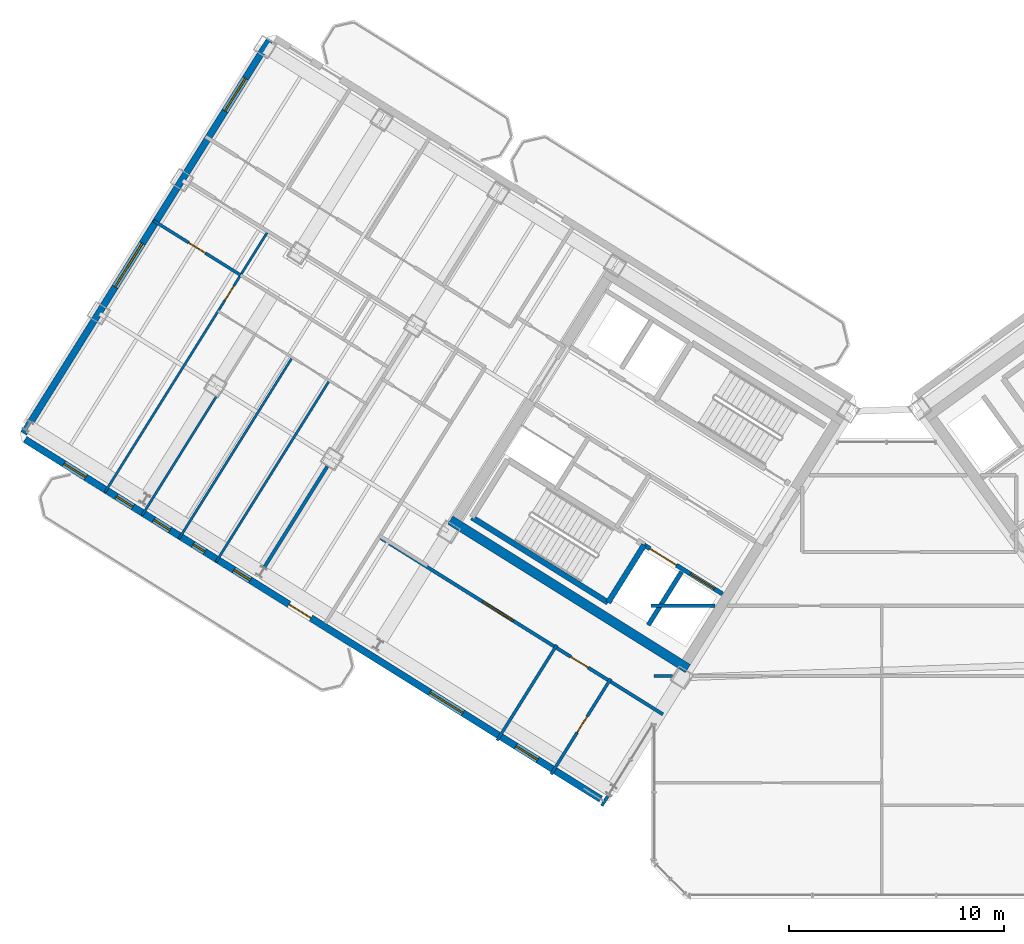
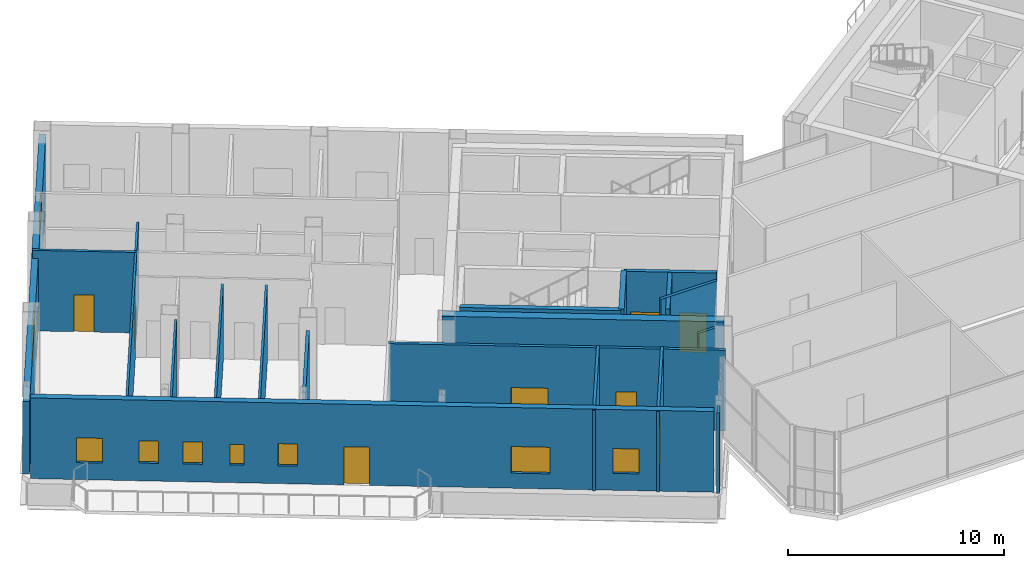
# One storey, part 16 of 26: 19 walls, 9 windows, 8 doors, 17 openings.
"""IFC4 building model written with IfcOpenShell, lengths in metres."""

import ifcopenshell
import ifcopenshell.guid

model = None  # the IFC model being written
_history = None  # IfcOwnerHistory: only IFC2X3 demands one
_inside = {}  # id of a spatial element -> (the spatial element, [elements in it])
_under = {}  # id of a project, library or spatial element -> (it, [spatial elements below it])
_declared = {}  # id of a project -> (the project, [libraries it declares])
_typed = {}  # id of a type object -> (the type object, [elements of that type])
_made_of = {}  # id of a material, layer set ... -> (it, [elements and type objects made of it])


def new_model(schema):
    """Start an empty IFC model of exactly this schema.

    Asked for "IFC4X3", IfcOpenShell would pick the latest addendum, in which some entities
    have other attributes; the version numbers below select the first issue.
    IFC2X3 requires an IfcOwnerHistory on every rooted entity: one is made here for all.
    """
    global model, _history
    if schema == "IFC4X3":
        model = ifcopenshell.file(schema_version=(4, 3, 0, 0))
    else:
        model = ifcopenshell.file(schema=schema)
    _inside.clear()
    _under.clear()
    _declared.clear()
    _typed.clear()
    _made_of.clear()
    _history = None
    if model.schema == "IFC2X3":
        org = make("IfcOrganization", Name="unknown")
        user = make(
            "IfcPersonAndOrganization",
            ThePerson=make("IfcPerson", FamilyName="unknown"),
            TheOrganization=org,
        )
        app = make(
            "IfcApplication",
            ApplicationDeveloper=org,
            Version="unknown",
            ApplicationFullName="unknown",
            ApplicationIdentifier="unknown",
        )
        _history = make(
            "IfcOwnerHistory",
            OwningUser=user,
            OwningApplication=app,
            ChangeAction="ADDED",
            CreationDate=0,
        )
    return model


def make(cls, **values):
    """One entity of the class cls with the attributes given. An attribute that is None is left unset."""
    return model.create_entity(
        cls, **{name: value for name, value in values.items() if value is not None}
    )


def rooted(cls, **values):
    """An entity with a GlobalId (a new one), such as an element, a storey or a relation."""
    return make(cls, GlobalId=ifcopenshell.guid.new(), OwnerHistory=_history, **values)


def si_unit(unit_type, name, prefix=None):
    """IfcSIUnit, for example si_unit("LENGTHUNIT", "METRE", prefix="MILLI")."""
    return make("IfcSIUnit", UnitType=unit_type, Prefix=prefix, Name=name)


def assignment(units):
    """IfcUnitAssignment: the units of a project."""
    return None if units is None else make("IfcUnitAssignment", Units=units)


def point(xyz):
    """IfcCartesianPoint."""
    return None if xyz is None else make("IfcCartesianPoint", Coordinates=xyz)


def direction(xyz):
    """IfcDirection."""
    return None if xyz is None else make("IfcDirection", DirectionRatios=xyz)


def frame(location, z_axis=None, x_axis=None):
    """IfcAxis2Placement3D, a coordinate frame: its origin and axes. An axis left out is left unset."""
    return make(
        "IfcAxis2Placement3D",
        Location=point(location),
        Axis=direction(z_axis),
        RefDirection=direction(x_axis),
    )


def frame_2d(location, x_axis=None):
    """IfcAxis2Placement2D, a coordinate frame in the plane: its origin and x axis."""
    return make(
        "IfcAxis2Placement2D", Location=point(location), RefDirection=direction(x_axis)
    )


def origin():
    """The frame at (0, 0, 0) with its axes left unset."""
    return frame((0.0, 0.0, 0.0))


def place(relative_to, where):
    """IfcLocalPlacement: puts the frame where relative to a parent placement (None: the world)."""
    return make(
        "IfcLocalPlacement", PlacementRelTo=relative_to, RelativePlacement=where
    )


def context(
    kind, dimensions, precision=None, world=None, true_north=None, identifier=None
):
    """IfcGeometricRepresentationContext, for example the 3D "Model" context."""
    return make(
        "IfcGeometricRepresentationContext",
        ContextIdentifier=identifier,
        ContextType=kind,
        CoordinateSpaceDimension=dimensions,
        Precision=precision,
        WorldCoordinateSystem=world,
        TrueNorth=true_north,
    )


def subcontext(parent, identifier, kind, view, scale=None):
    """IfcGeometricRepresentationSubContext, for example "Body" below "Model"."""
    return make(
        "IfcGeometricRepresentationSubContext",
        ContextIdentifier=identifier,
        ContextType=kind,
        ParentContext=parent,
        TargetScale=scale,
        TargetView=view,
    )


def project(units=None, contexts=None):
    """IfcProject with its units and contexts."""
    return rooted(
        "IfcProject",
        Name="project",
        RepresentationContexts=contexts,
        UnitsInContext=assignment(units),
    )


def spatial(cls, under=None, at=None, **own):
    """A site, building, storey or space (cls), placed at a placement, below another one or the project."""
    s = rooted(cls, ObjectPlacement=at, **own)
    if under is not None:
        _under.setdefault(under.id(), (under, []))[1].append(s)
    return s


def profile(cls, at=None, kind="AREA", **sizes):
    """A parametric profile (cls). Its sizes go by their IFC names, for example OverallWidth=200.0."""
    return make(cls, ProfileType=kind, Position=at, **sizes)


def rectangle(**sizes):
    """IfcRectangleProfileDef."""
    return profile("IfcRectangleProfileDef", **sizes)


def extrude(swept, where, along, depth):
    """IfcExtrudedAreaSolid: the profile swept, set in the frame where, extruded along a direction by depth."""
    return make(
        "IfcExtrudedAreaSolid",
        SweptArea=swept,
        Position=where,
        ExtrudedDirection=direction(along),
        Depth=depth,
    )


def shape(context_of_items, identifier, shape_type, items):
    """IfcShapeRepresentation: the items that make up one representation, for example the "Body"."""
    return make(
        "IfcShapeRepresentation",
        ContextOfItems=context_of_items,
        RepresentationIdentifier=identifier,
        RepresentationType=shape_type,
        Items=items,
    )


def source(mapping_origin, context_of_items, identifier, shape_type, items):
    """IfcRepresentationMap: a shape defined once, which mapped items show again and again."""
    return make(
        "IfcRepresentationMap",
        MappingOrigin=mapping_origin,
        MappedRepresentation=shape(context_of_items, identifier, shape_type, items),
    )


def transform(
    local_origin,
    x_axis=None,
    y_axis=None,
    z_axis=None,
    scale=None,
    scale2=None,
    scale3=None,
    uniform=True,
):
    """IfcCartesianTransformationOperator3D, or its non-uniform kind. x_axis, y_axis, z_axis: its Axis1, 2, 3."""
    if uniform:
        return make(
            "IfcCartesianTransformationOperator3D",
            Axis1=direction(x_axis),
            Axis2=direction(y_axis),
            LocalOrigin=point(local_origin),
            Scale=scale,
            Axis3=direction(z_axis),
        )
    return make(
        "IfcCartesianTransformationOperator3DnonUniform",
        Axis1=direction(x_axis),
        Axis2=direction(y_axis),
        LocalOrigin=point(local_origin),
        Scale=scale,
        Axis3=direction(z_axis),
        Scale2=scale2,
        Scale3=scale3,
    )


def mapped(mapping_source, mapping_target):
    """IfcMappedItem: shows the shape of a source again, moved by a transform."""
    return make(
        "IfcMappedItem", MappingSource=mapping_source, MappingTarget=mapping_target
    )


def material(Name=None, Category=None):
    """IfcMaterial."""
    return make("IfcMaterial", Name=Name, Category=Category)


def layer(
    of_material, thickness, ventilated=None, Name=None, Category=None, Priority=None
):
    """IfcMaterialLayer: one layer of a wall or slab, of a material (None: an air gap)."""
    return make(
        "IfcMaterialLayer",
        Material=of_material,
        LayerThickness=thickness,
        IsVentilated=ventilated,
        Name=Name,
        Category=Category,
        Priority=Priority,
    )


def layer_set(layers, Name=None):
    """IfcMaterialLayerSet."""
    return make("IfcMaterialLayerSet", MaterialLayers=layers, LayerSetName=Name)


def made_of(thing, what):
    """Note that an element or type object is made of a material, layer set ...; save() writes the relation."""
    if what is not None:
        _made_of.setdefault(what.id(), (what, []))[1].append(thing)
    return thing


def type_object(cls, material=None, **own):
    """A type object (cls), such as IfcWallType, which elements share."""
    return made_of(rooted(cls, **own), material)


def element(
    cls,
    number,
    at=None,
    inside=None,
    cuts=None,
    type_object=None,
    material=None,
    context=None,
    identifier="Body",
    shape_type=None,
    held_by="IfcProductDefinitionShape",
    body=None,
    shapes=None,
    **own,
):
    """One element of the class cls, such as IfcWall. Its Tag is "e" and its number.

    at: its placement. inside: the storey or other place that contains it. cuts: it is an
    opening in that element (IfcRelVoidsElement). A single representation is given by context,
    identifier, shape_type and body (its items); several are given by shapes. held_by: the class
    of the entity that holds the representations. save() writes the other relations.
    """
    e = rooted(cls, Tag="e%d" % number, ObjectPlacement=at, **own)
    if body is not None:
        shapes = [shape(context, identifier, shape_type, body)]
    if shapes is not None:
        e.Representation = make(held_by, Representations=shapes)
    if inside is not None:
        _inside.setdefault(inside.id(), (inside, []))[1].append(e)
    if cuts is not None:
        rooted(
            "IfcRelVoidsElement", RelatingBuildingElement=cuts, RelatedOpeningElement=e
        )
    if type_object is not None:
        _typed.setdefault(type_object.id(), (type_object, []))[1].append(e)
    return made_of(e, material)


def fill(opening, filler):
    """IfcRelFillsElement: the door or window that sits in an opening."""
    return rooted(
        "IfcRelFillsElement",
        RelatingOpeningElement=opening,
        RelatedBuildingElement=filler,
    )


def aggregate(whole, parts):
    """IfcRelAggregates: a whole, such as a stair, and the parts it consists of."""
    return rooted("IfcRelAggregates", RelatingObject=whole, RelatedObjects=parts)


def save(model, path):
    """Write the relations noted so far, then the file.

    IfcRelAggregates (storeys below a building ...), IfcRelContainedInSpatialStructure (elements
    in a storey), IfcRelDefinesByType, IfcRelAssociatesMaterial and IfcRelDeclares: one each for
    every whole, place, type object, material and project.
    """
    for whole, parts in _under.values():
        aggregate(whole, parts)
    for where, things in _inside.values():
        rooted(
            "IfcRelContainedInSpatialStructure",
            RelatedElements=things,
            RelatingStructure=where,
        )
    for kind, things in _typed.values():
        rooted("IfcRelDefinesByType", RelatedObjects=things, RelatingType=kind)
    for what, things in _made_of.values():
        rooted("IfcRelAssociatesMaterial", RelatedObjects=things, RelatingMaterial=what)
    for by, libraries in _declared.values():
        rooted("IfcRelDeclares", RelatingContext=by, RelatedDefinitions=libraries)
    model.write(path)


model = new_model("IFC4")

# Units and contexts
model_context = context("Model", 3, precision=1e-05, world=origin(), true_north=direction((0.0, 1.0)))
body_context = subcontext(model_context, "Body", "Model", "MODEL_VIEW")
ifc_project = project(units=[si_unit("LENGTHUNIT", "METRE"), si_unit("AREAUNIT", "SQUARE_METRE"), si_unit("VOLUMEUNIT", "CUBIC_METRE"), si_unit("PLANEANGLEUNIT", "RADIAN"), si_unit("MASSUNIT", "GRAM", prefix="KILO")], contexts=[model_context])

# Site, building, storey
site_placement = place(None, origin())
site = spatial("IfcSite", under=ifc_project, at=site_placement, CompositionType="ELEMENT")
building_placement = place(site_placement, origin())
building = spatial("IfcBuilding", under=site, at=building_placement, Name="Tlacorven Tower", CompositionType="ELEMENT")
storey_placement = place(building_placement, frame((0.0, 0.0, 233.699951171875)))
storey = spatial("IfcBuildingStorey", under=building, at=storey_placement, Name="L59", CompositionType="ELEMENT", Elevation=233.699951171875)

# Walls
ifc_material_1 = material(Name="Concrete C50/60", Category="concrete")
ifc_layer_1 = layer(ifc_material_1, 0.449951171875)
ifc_layer_set_1 = layer_set([ifc_layer_1], Name="Concrete C50/60")
wall_type_1 = type_object("IfcWallType", Name="WL-COR-450", PredefinedType="SHEAR", material=ifc_layer_set_1)
wall_1_placement = place(storey_placement, frame((33.32373046875, 12.5029296875, 0.0), z_axis=(0.0, 0.0, 1.0), x_axis=(-0.848043529849, 0.529926571782, 0.0)))
element("IfcWall", 1, at=wall_1_placement, inside=storey, type_object=wall_type_1, Name="L59 W core shear wall S2", PredefinedType="SHEAR", context=body_context, shape_type="SweptSolid", body=[
    extrude(rectangle(XDim=13.039794921875, YDim=0.449951171875, at=frame_2d((6.52001953125, 0.0))), origin(), (0.0, 0.0, 1.0), 4.550048828125),
])
ifc_material_2 = material(Name="Gypsum plasterboard acoustic partition", Category="gypsum")
ifc_layer_2 = layer(ifc_material_2, 0.159912109375)
ifc_layer_set_2 = layer_set([ifc_layer_2], Name="Gypsum plasterboard acoustic partition")
wall_type_2 = type_object("IfcWallType", Name="WL-DEM-160", PredefinedType="PARTITIONING", material=ifc_layer_set_2)
wall_2_placement = place(storey_placement, frame((16.54541015625, 21.911865234375, 0.0), z_axis=(0.0, 0.0, 1.0), x_axis=(-0.529927777772, -0.848042776247, 0.0)))
element("IfcWall", 2, at=wall_2_placement, inside=storey, type_object=wall_type_2, Name="L59 WN Demising Wall 1", PredefinedType="PARTITIONING", context=body_context, shape_type="SweptSolid", body=[
    extrude(rectangle(XDim=5.551025390625, YDim=0.159912109375, at=frame_2d((2.775390625, 0.0))), origin(), (0.0, 0.0, 1.0), 4.074951171875),
])

# Wall, openings, doors
wall_3_placement = place(storey_placement, frame((32.164306640625, 10.373779296875, 0.0), z_axis=(0.0, 0.0, 1.0), x_axis=(-0.848044107957, 0.529925646633, 0.0)))
wall_3 = element("IfcWall", 3, at=wall_3_placement, inside=storey, type_object=wall_type_2, Name="L59 partition 61", PredefinedType="PARTITIONING", context=body_context, shape_type="SweptSolid", body=[
    extrude(rectangle(XDim=15.570068359375, YDim=0.159912109375, at=frame_2d((7.78515625, 0.0))), origin(), (0.0, 0.0, 1.0), 4.5400390625),
])
opening_1_placement = place(wall_3_placement, frame((4.10009765625, 0.0, 0.0)))
opening_1 = element("IfcOpeningElement", 4, at=opening_1_placement, cuts=wall_3, Name="Opening D14", PredefinedType="OPENING", context=body_context, shape_type="SweptSolid", body=[
    extrude(rectangle(XDim=0.9599609375, YDim=2.080078125, at=frame_2d((0.47998046875, 1.0400390625))), frame((0.0, 0.08984375, 0.0), z_axis=(0.0, -1.0, 0.0), x_axis=(1.0, 0.0, 0.0)), (0.0, 0.0, 1.0), 0.179931640625),
])
opening_2_placement = place(wall_3_placement, frame((8.199951171875, 0.0, 0.0)))
opening_2 = element("IfcOpeningElement", 5, at=opening_2_placement, cuts=wall_3, Name="Opening D17", PredefinedType="OPENING", context=body_context, shape_type="SweptSolid", body=[
    extrude(rectangle(XDim=1.699951171875, YDim=2.199951171875, at=frame_2d((0.85009765625, 1.10009765625))), frame((0.0, 0.08984375, 0.0), z_axis=(0.0, -1.0, 0.0), x_axis=(1.0, 0.0, 0.0)), (0.0, 0.0, 1.0), 0.179931640625),
])
ifc_material_3 = material(Name="Fire-rated steel door assembly", Category="steel")
door_type_1 = type_object("IfcDoorType", Name="DR-COM-HALL-1700", OperationType="DOUBLE_DOOR_SINGLE_SWING", PredefinedType="DOOR", material=ifc_material_3)
shared_shape_1 = source(origin(), body_context, "Body", "SweptSolid", [
    extrude(rectangle(XDim=1.699951171875, YDim=2.199951171875, at=frame_2d((0.85009765625, 1.10009765625))), frame((0.0, 0.02490234375, 0.0), z_axis=(0.0, -1.0, 0.0), x_axis=(1.0, 0.0, 0.0)), (0.0, 0.0, 1.0), 0.050048828125),
])
door_1_placement = place(opening_2_placement, origin())
door_1 = element("IfcDoor", 6, at=door_1_placement, inside=storey, type_object=door_type_1, Name="L59 door 043", OperationType="DOUBLE_DOOR_SINGLE_SWING", OverallHeight=2.199951171875, OverallWidth=1.699951171875, PredefinedType="DOOR", context=body_context, shape_type="MappedRepresentation", body=[
    mapped(shared_shape_1, transform((0.0, 0.0, 0.0), scale=1.0)),
])
fill(opening_2, door_1)
ifc_material_4 = material(Name="Powder-coated aluminium and timber door", Category="wood")
door_type_2 = type_object("IfcDoorType", Name="DR-INT-AWC-0960", OperationType="NOTDEFINED", PredefinedType="DOOR", material=ifc_material_4)
shared_shape_2 = source(origin(), body_context, "Body", "SweptSolid", [
    extrude(rectangle(XDim=0.9599609375, YDim=2.080078125, at=frame_2d((0.47998046875, 1.0400390625))), frame((0.0, 0.02490234375, 0.0), z_axis=(0.0, -1.0, 0.0), x_axis=(1.0, 0.0, 0.0)), (0.0, 0.0, 1.0), 0.050048828125),
])
door_2_placement = place(opening_1_placement, origin())
door_2 = element("IfcDoor", 7, at=door_2_placement, inside=storey, type_object=door_type_2, Name="L59 door 042", OperationType="SINGLE_SWING_RIGHT", OverallHeight=2.080078125, OverallWidth=0.9599609375, PredefinedType="DOOR", context=body_context, shape_type="MappedRepresentation", body=[
    mapped(shared_shape_2, transform((0.0, 0.0, 0.0), scale=1.0)),
])
fill(opening_1, door_2)

# Wall
wall_4_placement = place(storey_placement, frame((31.60009765625, 15.419921875, 0.0), z_axis=(0.0, 0.0, 1.0), x_axis=(1.0, 0.0, 0.0)))
element("IfcWall", 8, at=wall_4_placement, inside=storey, type_object=wall_type_2, Name="L59 Knuckle Corridor South Wall", PredefinedType="PARTITIONING", context=body_context, shape_type="SweptSolid", body=[
    extrude(rectangle(XDim=2.984130859375, YDim=0.159912109375, at=frame_2d((1.4921875, 0.0))), origin(), (0.0, 0.0, 1.0), 4.5400390625),
])

# Wall, openings, door, windows
ifc_material_5 = material(Name="Precast concrete C45/55", Category="concrete")
ifc_layer_3 = layer(ifc_material_5, 0.320068359375)
ifc_layer_set_3 = layer_set([ifc_layer_3], Name="Precast concrete C45/55")
wall_type_3 = type_object("IfcWallType", Name="WL-EXT-320", PredefinedType="STANDARD", material=ifc_layer_set_3)
wall_5_placement = place(storey_placement, frame((29.267822265625, 6.429443359375, 0.0), z_axis=(0.0, 0.0, 1.0), x_axis=(-0.848049971435, 0.529916263149, 0.0)))
wall_5 = element("IfcWall", 9, at=wall_5_placement, inside=storey, type_object=wall_type_3, Name="L59 Masonry-Frame Recessed Facade Wall 1", PredefinedType="STANDARD", context=body_context, shape_type="SweptSolid", body=[
    extrude(rectangle(XDim=31.587646484375, YDim=0.320068359375, at=frame_2d((15.7939453125, 0.0))), origin(), (0.0, 0.0, 1.0), 4.550048828125),
])
opening_3_placement = place(wall_5_placement, frame((15.901123046875, 0.0, 0.0)))
opening_3 = element("IfcOpeningElement", 10, at=opening_3_placement, cuts=wall_5, Name="Opening D05", PredefinedType="OPENING", context=body_context, shape_type="SweptSolid", body=[
    extrude(rectangle(XDim=1.199951171875, YDim=2.14990234375, at=frame_2d((0.60009765625, 1.074951171875))), frame((0.0, 0.169921875, 0.0), z_axis=(0.0, -1.0, 0.0), x_axis=(1.0, 0.0, 0.0)), (0.0, 0.0, 1.0), 0.340087890625),
])
opening_4_placement = place(wall_5_placement, frame((3.45361328125, 0.0, 0.949951171875)))
opening_4 = element("IfcOpeningElement", 11, at=opening_4_placement, cuts=wall_5, Name="Opening WN03", PredefinedType="OPENING", context=body_context, shape_type="SweptSolid", body=[
    extrude(rectangle(XDim=1.199951171875, YDim=1.39990234375, at=frame_2d((0.60009765625, 0.699951171875))), frame((0.0, 0.169921875, 0.0), z_axis=(0.0, -1.0, 0.0), x_axis=(1.0, 0.0, 0.0)), (0.0, 0.0, 1.0), 0.340087890625),
])
opening_5_placement = place(wall_5_placement, frame((7.561279296875, 0.0, 0.85009765625)))
opening_5 = element("IfcOpeningElement", 12, at=opening_5_placement, cuts=wall_5, Name="Opening WN01", PredefinedType="OPENING", context=body_context, shape_type="SweptSolid", body=[
    extrude(rectangle(XDim=1.800048828125, YDim=1.5, at=frame_2d((0.89990234375, 0.75))), frame((0.0, 0.169921875, 0.0), z_axis=(0.0, -1.0, 0.0), x_axis=(1.0, 0.0, 0.0)), (0.0, 0.0, 1.0), 0.340087890625),
])
opening_6_placement = place(wall_5_placement, frame((28.253662109375, 0.0, 0.949951171875)))
opening_6 = element("IfcOpeningElement", 13, at=opening_6_placement, cuts=wall_5, Name="Opening WN03", PredefinedType="OPENING", context=body_context, shape_type="SweptSolid", body=[
    extrude(rectangle(XDim=1.199951171875, YDim=1.39990234375, at=frame_2d((0.60009765625, 0.699951171875))), frame((0.0, 0.169921875, 0.0), z_axis=(0.0, -1.0, 0.0), x_axis=(1.0, 0.0, 0.0)), (0.0, 0.0, 1.0), 0.340087890625),
])
opening_7_placement = place(wall_5_placement, frame((19.233642578125, 0.0, 1.0)))
opening_7 = element("IfcOpeningElement", 14, at=opening_7_placement, cuts=wall_5, Name="Opening WN05", PredefinedType="OPENING", context=body_context, shape_type="SweptSolid", body=[
    extrude(rectangle(XDim=0.89990234375, YDim=1.25, at=frame_2d((0.449951171875, 0.625))), frame((0.0, 0.169921875, 0.0), z_axis=(0.0, -1.0, 0.0), x_axis=(1.0, 0.0, 0.0)), (0.0, 0.0, 1.0), 0.340087890625),
])
opening_8_placement = place(wall_5_placement, frame((21.72119140625, 0.0, 1.0)))
opening_8 = element("IfcOpeningElement", 15, at=opening_8_placement, cuts=wall_5, Name="Opening WN21", PredefinedType="OPENING", context=body_context, shape_type="SweptSolid", body=[
    extrude(rectangle(XDim=0.64990234375, YDim=1.14990234375, at=frame_2d((0.324951171875, 0.574951171875))), frame((0.0, 0.169921875, 0.0), z_axis=(0.0, -1.0, 0.0), x_axis=(1.0, 0.0, 0.0)), (0.0, 0.0, 1.0), 0.340087890625),
])
opening_9_placement = place(wall_5_placement, frame((23.631103515625, 0.0, 1.0)))
opening_9 = element("IfcOpeningElement", 16, at=opening_9_placement, cuts=wall_5, Name="Opening WN05", PredefinedType="OPENING", context=body_context, shape_type="SweptSolid", body=[
    extrude(rectangle(XDim=0.89990234375, YDim=1.25, at=frame_2d((0.449951171875, 0.625))), frame((0.0, 0.169921875, 0.0), z_axis=(0.0, -1.0, 0.0), x_axis=(1.0, 0.0, 0.0)), (0.0, 0.0, 1.0), 0.340087890625),
])
opening_10_placement = place(wall_5_placement, frame((25.666259765625, 0.0, 1.0)))
opening_10 = element("IfcOpeningElement", 17, at=opening_10_placement, cuts=wall_5, Name="Opening WN05", PredefinedType="OPENING", context=body_context, shape_type="SweptSolid", body=[
    extrude(rectangle(XDim=0.89990234375, YDim=1.25, at=frame_2d((0.449951171875, 0.625))), frame((0.0, 0.169921875, 0.0), z_axis=(0.0, -1.0, 0.0), x_axis=(1.0, 0.0, 0.0)), (0.0, 0.0, 1.0), 0.340087890625),
])
door_type_3 = type_object("IfcDoorType", Name="DR-EXT-BALC-1200", OperationType="NOTDEFINED", PredefinedType="DOOR", material=ifc_material_4)
shared_shape_3 = source(origin(), body_context, "Body", "SweptSolid", [
    extrude(rectangle(XDim=1.199951171875, YDim=2.14990234375, at=frame_2d((0.60009765625, 1.074951171875))), frame((0.0, 0.02490234375, 0.0), z_axis=(0.0, -1.0, 0.0), x_axis=(1.0, 0.0, 0.0)), (0.0, 0.0, 1.0), 0.050048828125),
])
door_3_placement = place(opening_3_placement, origin())
door_3 = element("IfcDoor", 18, at=door_3_placement, inside=storey, type_object=door_type_3, Name="L59 Outdoor Access Door BAL-L59-W-OUT", OperationType="SINGLE_SWING_LEFT", OverallHeight=2.14990234375, OverallWidth=1.199951171875, PredefinedType="DOOR", context=body_context, shape_type="MappedRepresentation", body=[
    mapped(shared_shape_3, transform((0.0, 0.0, 0.0), scale=1.0)),
])
fill(opening_3, door_3)
ifc_material_6 = material(Name="Dark solar low-E double glazing in anodised aluminium frame", Category="aluminium")
window_type_1 = type_object("IfcWindowType", Name="WN-APT-1200X1500", PartitioningType="SINGLE_PANEL", PredefinedType="WINDOW", material=ifc_material_6)
shared_shape_4 = source(origin(), body_context, "Body", "SweptSolid", [
    extrude(rectangle(XDim=1.199951171875, YDim=1.39990234375, at=frame_2d((0.60009765625, 0.699951171875))), frame((0.0, 0.030029296875, 0.0), z_axis=(0.0, -1.0, 0.0), x_axis=(1.0, 0.0, 0.0)), (0.0, 0.0, 1.0), 0.06005859375),
])
window_1_placement = place(opening_4_placement, origin())
window_1 = element("IfcWindow", 19, at=window_1_placement, inside=storey, type_object=window_type_1, Name="L59 Recessed Masonry-Frame Window L59-01.1", OverallHeight=1.39990234375, OverallWidth=1.199951171875, PartitioningType="SINGLE_PANEL", PredefinedType="WINDOW", context=body_context, shape_type="MappedRepresentation", body=[
    mapped(shared_shape_4, transform((0.0, 0.0, 0.0), scale=1.0)),
])
fill(opening_4, window_1)
window_2_placement = place(opening_6_placement, origin())
window_2 = element("IfcWindow", 20, at=window_2_placement, inside=storey, type_object=window_type_1, Name="L59 Recessed Masonry-Frame Window L59-01.3", OverallHeight=1.39990234375, OverallWidth=1.199951171875, PartitioningType="SINGLE_PANEL", PredefinedType="WINDOW", context=body_context, shape_type="MappedRepresentation", body=[
    mapped(shared_shape_4, transform((0.0, 0.0, 0.0), scale=1.0)),
])
fill(opening_6, window_2)
window_type_2 = type_object("IfcWindowType", Name="WN-APT-1800X1650", PartitioningType="SINGLE_PANEL", PredefinedType="WINDOW", material=ifc_material_6)
shared_shape_5 = source(origin(), body_context, "Body", "SweptSolid", [
    extrude(rectangle(XDim=1.800048828125, YDim=1.5, at=frame_2d((0.89990234375, 0.75))), frame((0.0, 0.030029296875, 0.0), z_axis=(0.0, -1.0, 0.0), x_axis=(1.0, 0.0, 0.0)), (0.0, 0.0, 1.0), 0.06005859375),
])
window_3_placement = place(opening_5_placement, origin())
window_3 = element("IfcWindow", 21, at=window_3_placement, inside=storey, type_object=window_type_2, Name="L59 Recessed Masonry-Frame Window L59-01.2", OverallHeight=1.5, OverallWidth=1.800048828125, PartitioningType="SINGLE_PANEL", PredefinedType="WINDOW", context=body_context, shape_type="MappedRepresentation", body=[
    mapped(shared_shape_5, transform((0.0, 0.0, 0.0), scale=1.0)),
])
fill(opening_5, window_3)
window_type_3 = type_object("IfcWindowType", Name="WN-APT-0900X1350", PartitioningType="SINGLE_PANEL", PredefinedType="WINDOW", material=ifc_material_6)
shared_shape_6 = source(origin(), body_context, "Body", "SweptSolid", [
    extrude(rectangle(XDim=0.89990234375, YDim=1.25, at=frame_2d((0.449951171875, 0.625))), frame((0.0, 0.030029296875, 0.0), z_axis=(0.0, -1.0, 0.0), x_axis=(1.0, 0.0, 0.0)), (0.0, 0.0, 1.0), 0.06005859375),
])
window_4_placement = place(opening_7_placement, origin())
window_4 = element("IfcWindow", 22, at=window_4_placement, inside=storey, type_object=window_type_3, Name="L59 Dwelling Daylight Window L59-U02-BD1", OverallHeight=1.25, OverallWidth=0.89990234375, PartitioningType="SINGLE_PANEL", PredefinedType="WINDOW", context=body_context, shape_type="MappedRepresentation", body=[
    mapped(shared_shape_6, transform((0.0, 0.0, 0.0), scale=1.0)),
])
fill(opening_7, window_4)
window_5_placement = place(opening_9_placement, origin())
window_5 = element("IfcWindow", 23, at=window_5_placement, inside=storey, type_object=window_type_3, Name="L59 Dwelling Daylight Window L59-U02-BD3", OverallHeight=1.25, OverallWidth=0.89990234375, PartitioningType="SINGLE_PANEL", PredefinedType="WINDOW", context=body_context, shape_type="MappedRepresentation", body=[
    mapped(shared_shape_6, transform((0.0, 0.0, 0.0), scale=1.0)),
])
fill(opening_9, window_5)
window_6_placement = place(opening_10_placement, origin())
window_6 = element("IfcWindow", 24, at=window_6_placement, inside=storey, type_object=window_type_3, Name="L59 Dwelling Daylight Window L59-U02-BD4", OverallHeight=1.25, OverallWidth=0.89990234375, PartitioningType="SINGLE_PANEL", PredefinedType="WINDOW", context=body_context, shape_type="MappedRepresentation", body=[
    mapped(shared_shape_6, transform((0.0, 0.0, 0.0), scale=1.0)),
])
fill(opening_10, window_6)
window_type_4 = type_object("IfcWindowType", Name="WN-APT-0650X1150", PartitioningType="SINGLE_PANEL", PredefinedType="WINDOW", material=ifc_material_6)
shared_shape_7 = source(origin(), body_context, "Body", "SweptSolid", [
    extrude(rectangle(XDim=0.64990234375, YDim=1.14990234375, at=frame_2d((0.324951171875, 0.574951171875))), frame((0.0, 0.030029296875, 0.0), z_axis=(0.0, -1.0, 0.0), x_axis=(1.0, 0.0, 0.0)), (0.0, 0.0, 1.0), 0.06005859375),
])
window_7_placement = place(opening_8_placement, origin())
window_7 = element("IfcWindow", 25, at=window_7_placement, inside=storey, type_object=window_type_4, Name="L59 Dwelling Daylight Window L59-U02-BD2", OverallHeight=1.14990234375, OverallWidth=0.64990234375, PartitioningType="SINGLE_PANEL", PredefinedType="WINDOW", context=body_context, shape_type="MappedRepresentation", body=[
    mapped(shared_shape_7, transform((0.0, 0.0, 0.0), scale=1.0)),
])
fill(opening_8, window_7)

# Wall, openings, windows
wall_6_placement = place(storey_placement, frame((2.41455078125, 23.452392578125, 0.0), z_axis=(0.0, 0.0, 1.0), x_axis=(0.52991049553, 0.848053575387, 0.0)))
wall_6 = element("IfcWall", 26, at=wall_6_placement, inside=storey, type_object=wall_type_3, Name="L59 Masonry-Frame Recessed Facade Wall 2", PredefinedType="STANDARD", context=body_context, shape_type="SweptSolid", body=[
    extrude(rectangle(XDim=21.58740234375, YDim=0.320068359375, at=frame_2d((10.793701171875, 0.0))), origin(), (0.0, 0.0, 1.0), 4.074951171875),
])
opening_11_placement = place(wall_6_placement, frame((8.025634765625, 0.0, 0.75)))
opening_11 = element("IfcOpeningElement", 27, at=opening_11_placement, cuts=wall_6, Name="Opening WN06", PredefinedType="OPENING", context=body_context, shape_type="SweptSolid", body=[
    extrude(rectangle(XDim=2.39990234375, YDim=1.60009765625, at=frame_2d((1.199951171875, 0.800048828125))), frame((0.0, 0.169921875, 0.0), z_axis=(0.0, -1.0, 0.0), x_axis=(1.0, 0.0, 0.0)), (0.0, 0.0, 1.0), 0.340087890625),
])
opening_12_placement = place(wall_6_placement, frame((17.68359375, 0.0, 0.85009765625)))
opening_12 = element("IfcOpeningElement", 28, at=opening_12_placement, cuts=wall_6, Name="Opening WN01", PredefinedType="OPENING", context=body_context, shape_type="SweptSolid", body=[
    extrude(rectangle(XDim=1.800048828125, YDim=1.5, at=frame_2d((0.89990234375, 0.75))), frame((0.0, 0.169921875, 0.0), z_axis=(0.0, -1.0, 0.0), x_axis=(1.0, 0.0, 0.0)), (0.0, 0.0, 1.0), 0.340087890625),
])
window_8_placement = place(opening_12_placement, origin())
window_8 = element("IfcWindow", 29, at=window_8_placement, inside=storey, type_object=window_type_2, Name="L59 Recessed Masonry-Frame Window L59-02.2", OverallHeight=1.5, OverallWidth=1.800048828125, PartitioningType="SINGLE_PANEL", PredefinedType="WINDOW", context=body_context, shape_type="MappedRepresentation", body=[
    mapped(shared_shape_5, transform((0.0, 0.0, 0.0), scale=1.0)),
])
fill(opening_12, window_8)
window_type_5 = type_object("IfcWindowType", Name="WN-APT-2400X1800", PartitioningType="SINGLE_PANEL", PredefinedType="WINDOW", material=ifc_material_6)
shared_shape_8 = source(origin(), body_context, "Body", "SweptSolid", [
    extrude(rectangle(XDim=2.39990234375, YDim=1.60009765625, at=frame_2d((1.199951171875, 0.800048828125))), frame((0.0, 0.030029296875, 0.0), z_axis=(0.0, -1.0, 0.0), x_axis=(1.0, 0.0, 0.0)), (0.0, 0.0, 1.0), 0.06005859375),
])
window_9_placement = place(opening_11_placement, origin())
window_9 = element("IfcWindow", 30, at=window_9_placement, inside=storey, type_object=window_type_5, Name="L59 Recessed Masonry-Frame Window L59-02.1", OverallHeight=1.60009765625, OverallWidth=2.39990234375, PartitioningType="SINGLE_PANEL", PredefinedType="WINDOW", context=body_context, shape_type="MappedRepresentation", body=[
    mapped(shared_shape_8, transform((0.0, 0.0, 0.0), scale=1.0)),
])
fill(opening_11, window_9)

# Wall, opening, door
ifc_material_7 = material(Name="Gypsum plasterboard partition", Category="gypsum")
ifc_layer_4 = layer(ifc_material_7, 0.110107421875)
ifc_layer_set_4 = layer_set([ifc_layer_4], Name="Gypsum plasterboard partition")
wall_type_4 = type_object("IfcWallType", Name="WL-INT-110", PredefinedType="PARTITIONING", material=ifc_layer_set_4)
wall_7_placement = place(storey_placement, frame((13.781982421875, 32.850341796875, 0.0), z_axis=(0.0, 0.0, 1.0), x_axis=(-0.529928444178, -0.848042359821, 0.0)))
wall_7 = element("IfcWall", 31, at=wall_7_placement, inside=storey, type_object=wall_type_4, Name="L59 partition 49", PredefinedType="PARTITIONING", context=body_context, shape_type="SweptSolid", body=[
    extrude(rectangle(XDim=14.320068359375, YDim=0.110107421875, at=frame_2d((7.16015625, 0.0))), origin(), (0.0, 0.0, 1.0), 4.5400390625),
])
opening_13_placement = place(wall_7_placement, frame((3.0, 0.0, 0.0)))
opening_13 = element("IfcOpeningElement", 32, at=opening_13_placement, cuts=wall_7, Name="Opening D22", PredefinedType="OPENING", context=body_context, shape_type="SweptSolid", body=[
    extrude(rectangle(XDim=0.780029296875, YDim=2.050048828125, at=frame_2d((0.39013671875, 1.02490234375))), frame((0.0, 0.06494140625, 0.0), z_axis=(0.0, -1.0, 0.0), x_axis=(1.0, 0.0, 0.0)), (0.0, 0.0, 1.0), 0.130126953125),
])
door_type_4 = type_object("IfcDoorType", Name="DR-INT-WET-0780", OperationType="NOTDEFINED", PredefinedType="DOOR", material=ifc_material_4)
shared_shape_9 = source(origin(), body_context, "Body", "SweptSolid", [
    extrude(rectangle(XDim=0.780029296875, YDim=2.050048828125, at=frame_2d((0.39013671875, 1.02490234375))), frame((0.0, 0.02490234375, 0.0), z_axis=(0.0, -1.0, 0.0), x_axis=(1.0, 0.0, 0.0)), (0.0, 0.0, 1.0), 0.050048828125),
])
door_4_placement = place(opening_13_placement, origin())
door_4 = element("IfcDoor", 33, at=door_4_placement, inside=storey, type_object=door_type_4, Name="L59 door 030", OperationType="SINGLE_SWING_RIGHT", OverallHeight=2.050048828125, OverallWidth=0.780029296875, PredefinedType="DOOR", context=body_context, shape_type="MappedRepresentation", body=[
    mapped(shared_shape_9, transform((0.0, 0.0, 0.0), scale=1.0)),
])
fill(opening_13, door_4)

# Walls
for number, where, z_axis, x_axis, name in (
    (34, (16.63818359375, 25.90087890625, 0.0), (0.0, 0.0, 1.0), (-0.529910626741, -0.8480534934, 0.0), "L59 partition 55"),
    (35, (14.912353515625, 26.979248046875, 0.0), (0.0, 0.0, 1.0), (-0.529910626741, -0.8480534934, 0.0), "L59 partition 56"),
):
    element("IfcWall", number, at=place(storey_placement, frame(where, z_axis=z_axis, x_axis=x_axis)), inside=storey, type_object=wall_type_4, Name=name, PredefinedType="PARTITIONING", context=body_context, shape_type="SweptSolid", body=[
        extrude(rectangle(XDim=9.93994140625, YDim=0.110107421875, at=frame_2d((4.969970703125, 0.0))), origin(), (0.0, 0.0, 1.0), 4.22509765625),
    ])
wall_8_placement = place(storey_placement, frame((11.367919921875, 25.147216796875, 0.0), z_axis=(0.0, 0.0, 1.0), x_axis=(-0.52990789429, -0.84805520078, 0.0)))
element("IfcWall", 36, at=wall_8_placement, inside=storey, type_object=wall_type_4, Name="L59 partition 57", PredefinedType="PARTITIONING", context=body_context, shape_type="SweptSolid", body=[
    extrude(rectangle(XDim=6.508056640625, YDim=0.110107421875, at=frame_2d((3.25390625, 0.0))), origin(), (0.0, 0.0, 1.0), 4.5400390625),
])

# Wall, opening, door
ifc_material_8 = material(Name="Moisture-resistant gypsum plumbing wall", Category="gypsum")
ifc_layer_5 = layer(ifc_material_8, 0.139892578125)
ifc_layer_set_5 = layer_set([ifc_layer_5], Name="Moisture-resistant gypsum plumbing wall")
wall_type_5 = type_object("IfcWallType", Name="WL-PLM-140", PredefinedType="PLUMBINGWALL", material=ifc_layer_set_5)
wall_9_placement = place(storey_placement, frame((12.510009765625, 30.815185546875, 0.0), z_axis=(0.0, 0.0, 1.0), x_axis=(-0.848041344127, 0.529930069585, 0.0)))
wall_9 = element("IfcWall", 37, at=wall_9_placement, inside=storey, type_object=wall_type_5, Name="L59 partition 51", PredefinedType="PLUMBINGWALL", context=body_context, shape_type="SweptSolid", body=[
    extrude(rectangle(XDim=4.77978515625, YDim=0.139892578125, at=frame_2d((2.389892578125, 0.0))), origin(), (0.0, 0.0, 1.0), 4.5400390625),
])
opening_14_placement = place(wall_9_placement, frame((1.929931640625, 0.0, 0.0)))
opening_14 = element("IfcOpeningElement", 38, at=opening_14_placement, cuts=wall_9, Name="Opening D12", PredefinedType="OPENING", context=body_context, shape_type="SweptSolid", body=[
    extrude(rectangle(XDim=0.919921875, YDim=2.080078125, at=frame_2d((0.4599609375, 1.0400390625))), frame((0.0, 0.080078125, 0.0), z_axis=(0.0, -1.0, 0.0), x_axis=(1.0, 0.0, 0.0)), (0.0, 0.0, 1.0), 0.159912109375),
])
door_type_5 = type_object("IfcDoorType", Name="DR-INT-ROOM-0920", OperationType="NOTDEFINED", PredefinedType="DOOR", material=ifc_material_4)
shared_shape_10 = source(origin(), body_context, "Body", "SweptSolid", [
    extrude(rectangle(XDim=0.919921875, YDim=2.080078125, at=frame_2d((0.4599609375, 1.0400390625))), frame((0.0, 0.02490234375, 0.0), z_axis=(0.0, -1.0, 0.0), x_axis=(1.0, 0.0, 0.0)), (0.0, 0.0, 1.0), 0.050048828125),
])
door_5_placement = place(opening_14_placement, origin())
door_5 = element("IfcDoor", 39, at=door_5_placement, inside=storey, type_object=door_type_5, Name="L59 door 029", OperationType="SINGLE_SWING_LEFT", OverallHeight=2.080078125, OverallWidth=0.919921875, PredefinedType="DOOR", context=body_context, shape_type="MappedRepresentation", body=[
    mapped(shared_shape_10, transform((0.0, 0.0, 0.0), scale=1.0)),
])
fill(opening_14, door_5)

wall_10_placement = place(storey_placement, frame((29.734619140625, 12.03369140625, 0.0), z_axis=(0.0, 0.0, 1.0), x_axis=(-0.529890046623, -0.848066352646, 0.0)))
wall_10 = element("IfcWall", 40, at=wall_10_placement, inside=storey, type_object=wall_type_5, Name="L59 partition 63", PredefinedType="PLUMBINGWALL", context=body_context, shape_type="SweptSolid", body=[
    extrude(rectangle(XDim=5.239990234375, YDim=0.139892578125, at=frame_2d((2.6201171875, 0.0))), origin(), (0.0, 0.0, 1.0), 4.5400390625),
])
opening_15_placement = place(wall_10_placement, frame((2.070068359375, 0.0, 0.0)))
opening_15 = element("IfcOpeningElement", 41, at=opening_15_placement, cuts=wall_10, Name="Opening D13", PredefinedType="OPENING", context=body_context, shape_type="SweptSolid", body=[
    extrude(rectangle(XDim=0.8798828125, YDim=2.080078125, at=frame_2d((0.43994140625, 1.0400390625))), frame((0.0, 0.080078125, 0.0), z_axis=(0.0, -1.0, 0.0), x_axis=(1.0, 0.0, 0.0)), (0.0, 0.0, 1.0), 0.159912109375),
])
door_type_6 = type_object("IfcDoorType", Name="DR-INT-WET-0880", OperationType="NOTDEFINED", PredefinedType="DOOR", material=ifc_material_4)
shared_shape_11 = source(origin(), body_context, "Body", "SweptSolid", [
    extrude(rectangle(XDim=0.8798828125, YDim=2.080078125, at=frame_2d((0.43994140625, 1.0400390625))), frame((0.0, 0.02490234375, 0.0), z_axis=(0.0, -1.0, 0.0), x_axis=(1.0, 0.0, 0.0)), (0.0, 0.0, 1.0), 0.050048828125),
])
door_6_placement = place(opening_15_placement, origin())
door_6 = element("IfcDoor", 42, at=door_6_placement, inside=storey, type_object=door_type_6, Name="L59 door 041", OperationType="SINGLE_SWING_LEFT", OverallHeight=2.080078125, OverallWidth=0.8798828125, PredefinedType="DOOR", context=body_context, shape_type="MappedRepresentation", body=[
    mapped(shared_shape_11, transform((0.0, 0.0, 0.0), scale=1.0)),
])
fill(opening_15, door_6)

# Walls
wall_11_placement = place(storey_placement, frame((29.635009765625, 6.6279296875, 0.0), z_axis=(0.0, 0.0, 1.0), x_axis=(-0.530071736977, -0.847952801551, 0.0)))
element("IfcWall", 43, at=wall_11_placement, inside=storey, type_object=wall_type_5, Name="L59 partition 64", PredefinedType="PLUMBINGWALL", context=body_context, shape_type="SweptSolid", body=[
    extrude(rectangle(XDim=0.602783203125, YDim=0.139892578125, at=frame_2d((0.30126953125, 0.0))), origin(), (0.0, 0.0, 1.0), 4.5400390625),
])
wall_12_placement = place(storey_placement, frame((27.224609375, 13.60205078125, 0.0), z_axis=(0.0, 0.0, 1.0), x_axis=(-0.529944493599, -0.848032330577, 0.0)))
element("IfcWall", 44, at=wall_12_placement, inside=storey, type_object=wall_type_5, Name="L59 partition 65", PredefinedType="PLUMBINGWALL", context=body_context, shape_type="SweptSolid", body=[
    extrude(rectangle(XDim=5.239990234375, YDim=0.139892578125, at=frame_2d((2.6201171875, 0.0))), origin(), (0.0, 0.0, 1.0), 4.5400390625),
])
wall_13_placement = place(storey_placement, frame((31.739990234375, 12.169921875, 0.0), z_axis=(0.0, 0.0, 1.0), x_axis=(1.0, 0.0, 0.0)))
element("IfcWall", 45, at=wall_13_placement, inside=storey, type_object=wall_type_5, Name="L59 partition 74", PredefinedType="PLUMBINGWALL", context=body_context, shape_type="SweptSolid", body=[
    extrude(rectangle(XDim=0.872314453125, YDim=0.139892578125, at=frame_2d((0.43603515625, 0.0))), origin(), (0.0, 0.0, 1.0), 4.5400390625),
])

# Wall, openings, doors
ifc_material_9 = material(Name="Concrete C40/50", Category="concrete")
ifc_layer_6 = layer(ifc_material_9, 0.199951171875)
ifc_layer_set_6 = layer_set([ifc_layer_6], Name="Concrete C40/50")
wall_type_6 = type_object("IfcWallType", Name="WL-SHF-200", PredefinedType="STANDARD", material=ifc_layer_set_6)
wall_14_placement = place(storey_placement, frame((34.93310546875, 15.978271484375, 0.0), z_axis=(0.0, 0.0, 1.0), x_axis=(-0.848055739377, 0.529907032327, 0.0)))
wall_14 = element("IfcWall", 46, at=wall_14_placement, inside=storey, type_object=wall_type_6, Name="L59 Core W Firefighting Lift Shaft Front Wall", PredefinedType="STANDARD", context=body_context, shape_type="SweptSolid", body=[
    extrude(rectangle(XDim=4.298095703125, YDim=0.199951171875, at=frame_2d((2.14892578125, 0.0))), origin(), (0.0, 0.0, 1.0), 4.5400390625),
])
opening_16_placement = place(wall_14_placement, frame((0.447998046875, 0.0, 0.0)))
opening_16 = element("IfcOpeningElement", 47, at=opening_16_placement, cuts=wall_14, Name="Opening LD03", PredefinedType="OPENING", context=body_context, shape_type="SweptSolid", body=[
    extrude(rectangle(XDim=1.300048828125, YDim=2.199951171875, at=frame_2d((0.64990234375, 1.10009765625))), frame((0.0, 0.10986328125, 0.0), z_axis=(0.0, -1.0, 0.0), x_axis=(1.0, 0.0, 0.0)), (0.0, 0.0, 1.0), 0.219970703125),
])
opening_17_placement = place(wall_14_placement, frame((2.52294921875, 0.0, 0.0)))
opening_17 = element("IfcOpeningElement", 48, at=opening_17_placement, cuts=wall_14, Name="Opening LD04", PredefinedType="OPENING", context=body_context, shape_type="SweptSolid", body=[
    extrude(rectangle(XDim=1.449951171875, YDim=2.25, at=frame_2d((0.72509765625, 1.125))), frame((0.0, 0.10986328125, 0.0), z_axis=(0.0, -1.0, 0.0), x_axis=(1.0, 0.0, 0.0)), (0.0, 0.0, 1.0), 0.219970703125),
])
door_type_7 = type_object("IfcDoorType", Name="DR-LFT-SLID-1300", OperationType="DOUBLE_DOOR_SLIDING", PredefinedType="DOOR", material=ifc_material_3)
shared_shape_12 = source(origin(), body_context, "Body", "SweptSolid", [
    extrude(rectangle(XDim=1.300048828125, YDim=2.199951171875, at=frame_2d((0.64990234375, 1.10009765625))), frame((0.0, 0.02490234375, 0.0), z_axis=(0.0, -1.0, 0.0), x_axis=(1.0, 0.0, 0.0)), (0.0, 0.0, 1.0), 0.050048828125),
])
door_7_placement = place(opening_16_placement, origin())
door_7 = element("IfcDoor", 49, at=door_7_placement, inside=storey, type_object=door_type_7, Name="L59 Lift FFL-W1 Sliding Landing Door", OperationType="DOUBLE_DOOR_SLIDING", OverallHeight=2.199951171875, OverallWidth=1.300048828125, PredefinedType="DOOR", context=body_context, shape_type="MappedRepresentation", body=[
    mapped(shared_shape_12, transform((0.0, 0.0, 0.0), scale=1.0)),
])
fill(opening_16, door_7)
door_type_8 = type_object("IfcDoorType", Name="DR-LFT-SLID-1450", OperationType="DOUBLE_DOOR_SLIDING", PredefinedType="DOOR", material=ifc_material_3)
shared_shape_13 = source(origin(), body_context, "Body", "SweptSolid", [
    extrude(rectangle(XDim=1.449951171875, YDim=2.25, at=frame_2d((0.72509765625, 1.125))), frame((0.0, 0.02490234375, 0.0), z_axis=(0.0, -1.0, 0.0), x_axis=(1.0, 0.0, 0.0)), (0.0, 0.0, 1.0), 0.050048828125),
])
door_8_placement = place(opening_17_placement, origin())
door_8 = element("IfcDoor", 50, at=door_8_placement, inside=storey, type_object=door_type_8, Name="L59 Lift SVL-W1 Sliding Landing Door", OperationType="DOUBLE_DOOR_SLIDING", OverallHeight=2.25, OverallWidth=1.449951171875, PredefinedType="DOOR", context=body_context, shape_type="MappedRepresentation", body=[
    mapped(shared_shape_13, transform((0.0, 0.0, 0.0), scale=1.0)),
])
fill(opening_17, door_8)

# Walls
wall_15_placement = place(storey_placement, frame((33.02880859375, 17.003173828125, 0.0), z_axis=(0.0, 0.0, 1.0), x_axis=(-0.529916267533, -0.848049968695, 0.0)))
element("IfcWall", 51, at=wall_15_placement, inside=storey, type_object=wall_type_6, Name="L59 partition 11", PredefinedType="STANDARD", context=body_context, shape_type="SweptSolid", body=[
    extrude(rectangle(XDim=2.919921875, YDim=0.199951171875, at=frame_2d((1.4599609375, 0.0))), origin(), (0.0, 0.0, 1.0), 4.5400390625),
])
ifc_layer_7 = layer(ifc_material_1, 0.260009765625)
ifc_layer_set_7 = layer_set([ifc_layer_7], Name="Concrete C50/60")
wall_type_7 = type_object("IfcWallType", Name="WL-STW-260", PredefinedType="SHEAR", material=ifc_layer_set_7)
wall_16_placement = place(storey_placement, frame((29.60498046875, 15.581298828125, 0.0), z_axis=(0.0, 0.0, 1.0), x_axis=(-0.848036911448, 0.529937163087, 0.0)))
element("IfcWall", 52, at=wall_16_placement, inside=storey, type_object=wall_type_7, Name="L59 Stair W1 Far Shear Wall", PredefinedType="SHEAR", context=body_context, shape_type="SweptSolid", body=[
    extrude(rectangle(XDim=7.4599609375, YDim=0.260009765625, at=frame_2d((3.72998046875, 0.0))), origin(), (0.0, 0.0, 1.0), 4.550048828125),
])
wall_17_placement = place(storey_placement, frame((31.2880859375, 18.255859375, 0.0), z_axis=(0.0, 0.0, 1.0), x_axis=(-0.529943379326, -0.848033026897, 0.0)))
element("IfcWall", 53, at=wall_17_placement, inside=storey, type_object=wall_type_7, Name="L59 Stair W1 West Shear Wall", PredefinedType="SHEAR", context=body_context, shape_type="SweptSolid", body=[
    extrude(rectangle(XDim=3.159912109375, YDim=0.260009765625, at=frame_2d((1.580078125, 0.0))), origin(), (0.0, 0.0, 1.0), 4.550048828125),
])

save(model, "model.ifc")
